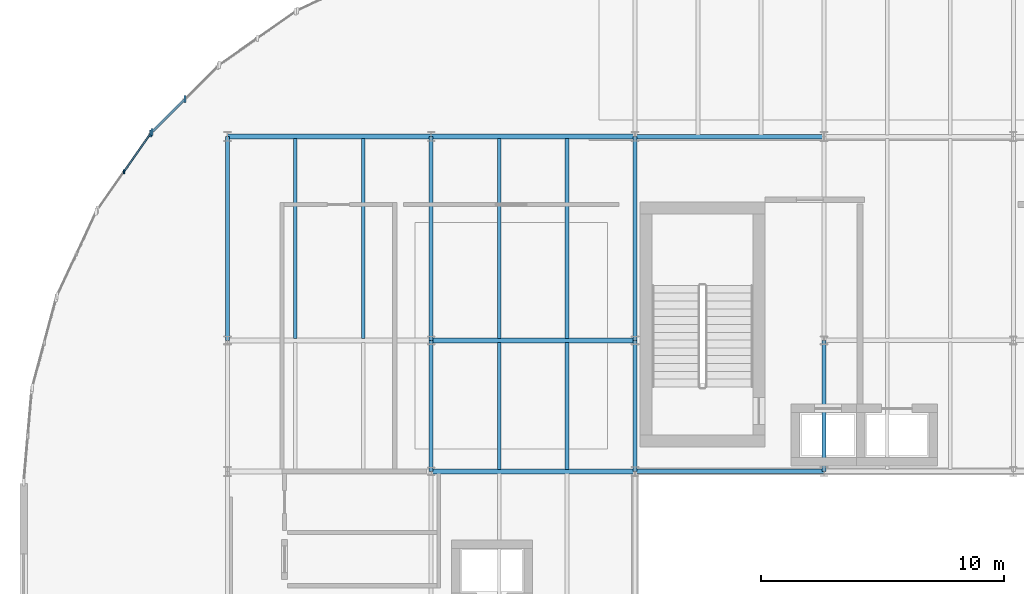
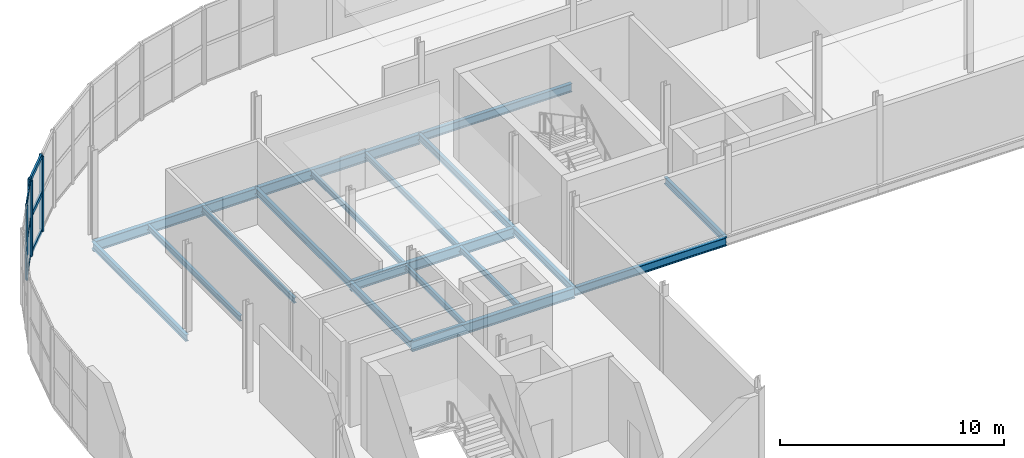
# One storey, part 5 of 15: 18 beams, 10 members, 2 elements without a shape of their own.
"""IFC4 building model written with IfcOpenShell, lengths in metres."""

from ifc_helpers import new_model, si_unit, direction, frame, origin, origin_2d, place, context, subcontext, project, spatial, rectangle, i_section, extrude, material, layer, layer_set, material_profile, profile_set, type_object, element, aggregate, save


model = new_model("IFC4")

# Units and contexts
model_context = context("Model", 3, precision=1e-05, world=origin(), true_north=direction((0.0, 1.0)))
body_context = subcontext(model_context, "Body", "Model", "MODEL_VIEW")
ifc_project = project(units=[si_unit("LENGTHUNIT", "METRE"), si_unit("AREAUNIT", "SQUARE_METRE"), si_unit("VOLUMEUNIT", "CUBIC_METRE"), si_unit("PLANEANGLEUNIT", "RADIAN"), si_unit("MASSUNIT", "GRAM", prefix="KILO")], contexts=[model_context])

# Site, building, storey
site_placement = place(None, origin())
site = spatial("IfcSite", under=ifc_project, at=site_placement, CompositionType="ELEMENT")
building_placement = place(site_placement, origin())
building = spatial("IfcBuilding", under=site, at=building_placement, Name="Sefraquen Railside Congress Hotel", CompositionType="ELEMENT")
storey_placement = place(building_placement, frame((0.0, 0.0, 46.800048828125)))
storey = spatial("IfcBuildingStorey", under=building, at=storey_placement, Name="L11", CompositionType="ELEMENT", Elevation=46.800048828125)

# Beams
ifc_material_1 = material(Name="Steel S355JR", Category="steel")
ifc_material_profile_1 = material_profile(ifc_material_1, i_section(OverallWidth=0.169921875, OverallDepth=0.360107421875, WebThickness=0.008056640625, FlangeThickness=0.0126953125, FilletRadius=0.01806640625, at=origin_2d()), Name="IPE 360")
ifc_profile_set_1 = profile_set([ifc_material_profile_1], Name="Steel S355JR")
beam_type_1 = type_object("IfcBeamType", Name="TB-BM-360", PredefinedType="BEAM", material=ifc_profile_set_1)
beam_1_placement = place(storey_placement, frame((8.39990234375, 101.39990234375, -0.43994140625), z_axis=(0.0, 1.0, 0.0), x_axis=(-1.0, 0.0, 0.0)))
element("IfcBeam", 1, at=beam_1_placement, inside=storey, type_object=beam_type_1, Name="Floor beam BM-L11-2198", PredefinedType="BEAM", context=body_context, shape_type="SweptSolid", body=[
    extrude(i_section(OverallWidth=0.169921875, OverallDepth=0.360107421875, WebThickness=0.008056640625, FlangeThickness=0.0126953125, FilletRadius=0.01806640625, at=origin_2d()), origin(), (0.0, 0.0, 1.0), 8.400146484375),
])
beam_2_placement = place(storey_placement, frame((16.800048828125, 96.0, -0.43994140625), z_axis=(0.0, 1.0, 0.0), x_axis=(-1.0, 0.0, 0.0)))
element("IfcBeam", 2, at=beam_2_placement, inside=storey, type_object=beam_type_1, Name="Floor beam BM-L11-2201", PredefinedType="BEAM", context=body_context, shape_type="SweptSolid", body=[
    extrude(i_section(OverallWidth=0.169921875, OverallDepth=0.360107421875, WebThickness=0.008056640625, FlangeThickness=0.0126953125, FilletRadius=0.01806640625, at=origin_2d()), origin(), (0.0, 0.0, 1.0), 5.39990234375),
])
beam_3_placement = place(storey_placement, frame((16.800048828125, 101.39990234375, -0.43994140625), z_axis=(0.0, 1.0, 0.0), x_axis=(-1.0, 0.0, 0.0)))
element("IfcBeam", 3, at=beam_3_placement, inside=storey, type_object=beam_type_1, Name="Floor beam BM-L11-2202", PredefinedType="BEAM", context=body_context, shape_type="SweptSolid", body=[
    extrude(i_section(OverallWidth=0.169921875, OverallDepth=0.360107421875, WebThickness=0.008056640625, FlangeThickness=0.0126953125, FilletRadius=0.01806640625, at=origin_2d()), origin(), (0.0, 0.0, 1.0), 8.400146484375),
])
beam_4_placement = place(storey_placement, frame((25.199951171875, 96.0, -0.43994140625), z_axis=(0.0, 1.0, 0.0), x_axis=(-1.0, 0.0, 0.0)))
element("IfcBeam", 4, at=beam_4_placement, inside=storey, type_object=beam_type_1, Name="Floor beam BM-L11-2205", PredefinedType="BEAM", context=body_context, shape_type="SweptSolid", body=[
    extrude(i_section(OverallWidth=0.169921875, OverallDepth=0.360107421875, WebThickness=0.008056640625, FlangeThickness=0.0126953125, FilletRadius=0.01806640625, at=origin_2d()), origin(), (0.0, 0.0, 1.0), 5.39990234375),
])
beam_5_placement = place(storey_placement, frame((25.199951171875, 101.39990234375, -0.43994140625), z_axis=(0.0, 1.0, 0.0), x_axis=(-1.0, 0.0, 0.0)))
element("IfcBeam", 5, at=beam_5_placement, inside=storey, type_object=beam_type_1, Name="Floor beam BM-L11-2206", PredefinedType="BEAM", context=body_context, shape_type="SweptSolid", body=[
    extrude(i_section(OverallWidth=0.169921875, OverallDepth=0.360107421875, WebThickness=0.008056640625, FlangeThickness=0.0126953125, FilletRadius=0.01806640625, at=origin_2d()), origin(), (0.0, 0.0, 1.0), 8.400146484375),
])
beam_6_placement = place(storey_placement, frame((33.0, 96.0, -0.43994140625), z_axis=(0.0, 1.0, 0.0), x_axis=(-1.0, 0.0, 0.0)))
element("IfcBeam", 6, at=beam_6_placement, inside=storey, type_object=beam_type_1, Name="Floor beam BM-L11-2208", PredefinedType="BEAM", context=body_context, shape_type="SweptSolid", body=[
    extrude(i_section(OverallWidth=0.169921875, OverallDepth=0.360107421875, WebThickness=0.008056640625, FlangeThickness=0.0126953125, FilletRadius=0.01806640625, at=origin_2d()), origin(), (0.0, 0.0, 1.0), 5.39990234375),
])
ifc_material_profile_2 = material_profile(ifc_material_1, i_section(OverallWidth=0.18994140625, OverallDepth=0.449951171875, WebThickness=0.009521484375, FlangeThickness=0.0146484375, FilletRadius=0.02099609375, at=origin_2d()), Name="IPE 450")
ifc_profile_set_2 = profile_set([ifc_material_profile_2], Name="Steel S355JR")
beam_type_2 = type_object("IfcBeamType", Name="TB-BM-450", PredefinedType="BEAM", material=ifc_profile_set_2)
for number, where, z_axis, x_axis, name in (
    (7, (25.199951171875, 96.0, -0.485107421875), (1.0, 0.0, 0.0), (0.0, 1.0, 0.0), "Primary girder BM-L11-2156"),
    (8, (25.199951171875, 109.800048828125, -0.485107421875), (1.0, 0.0, 0.0), (0.0, 1.0, 0.0), "Primary girder BM-L11-2176"),
):
    element("IfcBeam", number, at=place(storey_placement, frame(where, z_axis=z_axis, x_axis=x_axis)), inside=storey, type_object=beam_type_2, Name=name, PredefinedType="BEAM", context=body_context, shape_type="SweptSolid", body=[
        extrude(i_section(OverallWidth=0.18994140625, OverallDepth=0.449951171875, WebThickness=0.009521484375, FlangeThickness=0.0146484375, FilletRadius=0.02099609375, at=origin_2d()), origin(), (0.0, 0.0, 1.0), 7.800048828125),
    ])
ifc_material_profile_3 = material_profile(ifc_material_1, i_section(OverallWidth=0.2099609375, OverallDepth=0.550048828125, WebThickness=0.010986328125, FlangeThickness=0.01708984375, FilletRadius=0.02392578125, at=origin_2d()), Name="IPE 550")
ifc_profile_set_3 = profile_set([ifc_material_profile_3], Name="Steel S355JR")
beam_type_3 = type_object("IfcBeamType", Name="TB-GIR-550", PredefinedType="T_BEAM", material=ifc_profile_set_3)
for number, where, z_axis, x_axis, name in (
    (9, (16.800048828125, 96.0, -0.53515625), (1.0, 0.0, 0.0), (0.0, 1.0, 0.0), "Primary girder BM-L11-2155"),
    (10, (16.800048828125, 101.39990234375, -0.53515625), (1.0, 0.0, 0.0), (0.0, 1.0, 0.0), "Primary girder BM-L11-2166"),
):
    element("IfcBeam", number, at=place(storey_placement, frame(where, z_axis=z_axis, x_axis=x_axis)), inside=storey, type_object=beam_type_3, Name=name, PredefinedType="T_BEAM", context=body_context, shape_type="SweptSolid", body=[
        extrude(i_section(OverallWidth=0.2099609375, OverallDepth=0.550048828125, WebThickness=0.010986328125, FlangeThickness=0.01708984375, FilletRadius=0.02392578125, at=origin_2d()), origin(), (0.0, 0.0, 1.0), 8.39990234375),
    ])
beam_7_placement = place(storey_placement, frame((8.39990234375, 109.800048828125, -0.53515625), z_axis=(1.0, 0.0, 0.0), x_axis=(0.0, 1.0, 0.0)))
element("IfcBeam", 11, at=beam_7_placement, inside=storey, type_object=beam_type_3, Name="Primary girder BM-L11-2174", PredefinedType="T_BEAM", context=body_context, shape_type="SweptSolid", body=[
    extrude(i_section(OverallWidth=0.2099609375, OverallDepth=0.550048828125, WebThickness=0.010986328125, FlangeThickness=0.01708984375, FilletRadius=0.02392578125, at=origin_2d()), origin(), (0.0, 0.0, 1.0), 8.400146484375),
])
beam_8_placement = place(storey_placement, frame((16.800048828125, 109.800048828125, -0.53515625), z_axis=(1.0, 0.0, 0.0), x_axis=(0.0, 1.0, 0.0)))
element("IfcBeam", 12, at=beam_8_placement, inside=storey, type_object=beam_type_3, Name="Primary girder BM-L11-2175", PredefinedType="T_BEAM", context=body_context, shape_type="SweptSolid", body=[
    extrude(i_section(OverallWidth=0.2099609375, OverallDepth=0.550048828125, WebThickness=0.010986328125, FlangeThickness=0.01708984375, FilletRadius=0.02392578125, at=origin_2d()), origin(), (0.0, 0.0, 1.0), 8.39990234375),
])
ifc_material_profile_4 = material_profile(ifc_material_1, i_section(OverallWidth=0.14990234375, OverallDepth=0.300048828125, WebThickness=0.007080078125, FlangeThickness=0.0107421875, FilletRadius=0.014892578125, at=origin_2d()), Name="IPE 300")
ifc_profile_set_4 = profile_set([ifc_material_profile_4], Name="Steel S355JR")
beam_type_4 = type_object("IfcBeamType", Name="TB-JST-300", PredefinedType="JOIST", material=ifc_profile_set_4)
for number, where, z_axis, x_axis, name in (
    (13, (11.199951171875, 101.485107421875, -0.41015625), (0.0, 1.0, 0.0), (-1.0, 0.0, 0.0), "Composite floor joist BM-L11-J1472"),
    (14, (14.0, 101.485107421875, -0.41015625), (0.0, 1.0, 0.0), (-1.0, 0.0, 0.0), "Composite floor joist BM-L11-J1473"),
):
    element("IfcBeam", number, at=place(storey_placement, frame(where, z_axis=z_axis, x_axis=x_axis)), inside=storey, type_object=beam_type_4, Name=name, PredefinedType="JOIST", context=body_context, shape_type="SweptSolid", body=[
        extrude(i_section(OverallWidth=0.14990234375, OverallDepth=0.300048828125, WebThickness=0.007080078125, FlangeThickness=0.0107421875, FilletRadius=0.014892578125, at=origin_2d()), origin(), (0.0, 0.0, 1.0), 8.22998046875),
    ])
for number, where, z_axis, x_axis, name in (
    (15, (19.60009765625, 96.0849609375, -0.41015625), (0.0, 1.0, 0.0), (-1.0, 0.0, 0.0), "Composite floor joist BM-L11-J1478"),
    (16, (22.39990234375, 96.0849609375, -0.41015625), (0.0, 1.0, 0.0), (-1.0, 0.0, 0.0), "Composite floor joist BM-L11-J1479"),
):
    element("IfcBeam", number, at=place(storey_placement, frame(where, z_axis=z_axis, x_axis=x_axis)), inside=storey, type_object=beam_type_4, Name=name, PredefinedType="JOIST", context=body_context, shape_type="SweptSolid", body=[
        extrude(i_section(OverallWidth=0.14990234375, OverallDepth=0.300048828125, WebThickness=0.007080078125, FlangeThickness=0.0107421875, FilletRadius=0.014892578125, at=origin_2d()), origin(), (0.0, 0.0, 1.0), 5.22998046875),
    ])
for number, where, z_axis, x_axis, name in (
    (17, (19.60009765625, 101.485107421875, -0.41015625), (0.0, 1.0, 0.0), (-1.0, 0.0, 0.0), "Composite floor joist BM-L11-J1480"),
    (18, (22.39990234375, 101.485107421875, -0.41015625), (0.0, 1.0, 0.0), (-1.0, 0.0, 0.0), "Composite floor joist BM-L11-J1481"),
):
    element("IfcBeam", number, at=place(storey_placement, frame(where, z_axis=z_axis, x_axis=x_axis)), inside=storey, type_object=beam_type_4, Name=name, PredefinedType="JOIST", context=body_context, shape_type="SweptSolid", body=[
        extrude(i_section(OverallWidth=0.14990234375, OverallDepth=0.300048828125, WebThickness=0.007080078125, FlangeThickness=0.0107421875, FilletRadius=0.014892578125, at=origin_2d()), origin(), (0.0, 0.0, 1.0), 8.22998046875),
    ])

# Curtain wall, member
ifc_material_2 = material(Name="Thermally broken anodised aluminium and low-E double glazing", Category="aluminium")
ifc_layer_1 = layer(ifc_material_2, 0.199951171875)
ifc_layer_set_1 = layer_set([ifc_layer_1], Name="Thermally broken anodised aluminium and low-E double glazing")
curtain_wall_type_1 = type_object("IfcCurtainWallType", Name="TCW-UCW-09", PredefinedType="USERDEFINED", material=ifc_layer_set_1)
curtain_wall_1_placement = place(storey_placement, origin())
curtain_wall_1 = element("IfcCurtainWall", 19, at=curtain_wall_1_placement, inside=storey, type_object=curtain_wall_type_1, Name="Rotunda L11 curved curtain wall facet 6", ObjectType="UNITISED CURTAIN WALL", PredefinedType="USERDEFINED")
ifc_material_3 = material(Name="Thermally broken anodised aluminium 6063-T6", Category="aluminium")
ifc_material_profile_5 = material_profile(ifc_material_3, rectangle(XDim=0.06005859375, YDim=0.159912109375, at=origin_2d()), Name="CWM 60x160")
ifc_profile_set_5 = profile_set([ifc_material_profile_5], Name="Thermally broken anodised aluminium 6063-T6")
member_type_1 = type_object("IfcMemberType", Name="TM-CWM-01", PredefinedType="MULLION", material=ifc_profile_set_5)
member_1_placement = place(storey_placement, frame((4.13916015625, 108.356201171875, 0.0), z_axis=(0.0, 0.0, 1.0), x_axis=(1.0, 0.0, 0.0)))
member_1 = element("IfcMember", 20, at=member_1_placement, type_object=member_type_1, Name="CW-L11-ROT-06 mullion 2", PredefinedType="MULLION", context=body_context, shape_type="SweptSolid", body=[
    extrude(rectangle(XDim=0.06005859375, YDim=0.159912109375, at=origin_2d()), origin(), (0.0, 0.0, 1.0), 4.08984375),
])

# Curtain wall, members
ifc_layer_2 = layer(ifc_material_2, 0.199951171875)
ifc_layer_set_2 = layer_set([ifc_layer_2], Name="Thermally broken anodised aluminium and low-E double glazing")
curtain_wall_type_2 = type_object("IfcCurtainWallType", Name="TCW-UCW-08", PredefinedType="USERDEFINED", material=ifc_layer_set_2)
curtain_wall_2_placement = place(storey_placement, origin())
curtain_wall_2 = element("IfcCurtainWall", 21, at=curtain_wall_2_placement, inside=storey, type_object=curtain_wall_type_2, Name="Rotunda L11 curved curtain wall facet 5", ObjectType="UNITISED CURTAIN WALL", PredefinedType="USERDEFINED")
ifc_material_profile_6 = material_profile(ifc_material_3, rectangle(XDim=0.090087890625, YDim=0.280029296875, at=origin_2d()), Name="CWM 90x280")
ifc_profile_set_6 = profile_set([ifc_material_profile_6], Name="Thermally broken anodised aluminium 6063-T6")
member_type_2 = type_object("IfcMemberType", Name="TM-CWM-07", PredefinedType="MULLION", material=ifc_profile_set_6)
member_2_placement = place(storey_placement, frame((6.650634765625, 111.349365234375, 0.0), z_axis=(0.0, 0.0, 1.0), x_axis=(1.0, 0.0, 0.0)))
member_2 = element("IfcMember", 22, at=member_2_placement, type_object=member_type_2, Name="CW-L11-ROT-05 mullion 2", PredefinedType="MULLION", context=body_context, shape_type="SweptSolid", body=[
    extrude(rectangle(XDim=0.090087890625, YDim=0.280029296875, at=origin_2d()), origin(), (0.0, 0.0, 1.0), 4.08984375),
])
ifc_material_profile_7 = material_profile(ifc_material_3, rectangle(XDim=0.094970703125, YDim=0.300048828125, at=origin_2d()), Name="CWM 95x300")
ifc_profile_set_7 = profile_set([ifc_material_profile_7], Name="Thermally broken anodised aluminium 6063-T6")
member_type_3 = type_object("IfcMemberType", Name="TM-CWM-08", PredefinedType="MULLION", material=ifc_profile_set_7)
member_3_placement = place(storey_placement, frame((5.292236328125, 109.990966796875, 0.0), z_axis=(0.0, 0.0, 1.0), x_axis=(1.0, 0.0, 0.0)))
member_3 = element("IfcMember", 23, at=member_3_placement, type_object=member_type_3, Name="CW-L11-ROT-05 mullion 3", PredefinedType="MULLION", context=body_context, shape_type="SweptSolid", body=[
    extrude(rectangle(XDim=0.094970703125, YDim=0.300048828125, at=origin_2d()), origin(), (0.0, 0.0, 1.0), 4.08984375),
])

# Member
member_4_placement = place(storey_placement, frame((5.2412109375, 109.929931640625, 0.0), z_axis=(0.0, 0.0, 1.0), x_axis=(1.0, 0.0, 0.0)))
member_4 = element("IfcMember", 24, at=member_4_placement, type_object=member_type_3, Name="CW-L11-ROT-06 mullion 1", PredefinedType="MULLION", context=body_context, shape_type="SweptSolid", body=[
    extrude(rectangle(XDim=0.094970703125, YDim=0.300048828125, at=origin_2d()), origin(), (0.0, 0.0, 1.0), 4.08984375),
])

ifc_material_profile_8 = material_profile(ifc_material_3, rectangle(XDim=0.06005859375, YDim=0.1201171875, at=origin_2d()), Name="CWT 60x120")
ifc_profile_set_8 = profile_set([ifc_material_profile_8], Name="Thermally broken anodised aluminium 6063-T6")
member_type_4 = type_object("IfcMemberType", Name="TM-CWT-01", PredefinedType="USERDEFINED", material=ifc_profile_set_8)
member_5_placement = place(storey_placement, frame((5.21533203125, 109.89306640625, 0.0), z_axis=(-0.573632363976, -0.819112880499, 0.0), x_axis=(0.819112880499, -0.573632363976, 0.0)))
member_5 = element("IfcMember", 25, at=member_5_placement, type_object=member_type_4, Name="CW-L11-ROT-06 transom 1.1", ObjectType="TRANSOM", PredefinedType="USERDEFINED", context=body_context, shape_type="SweptSolid", body=[
    extrude(rectangle(XDim=0.06005859375, YDim=0.1201171875, at=origin_2d()), origin(), (0.0, 0.0, 1.0), 1.8310546875),
])

member_6_placement = place(storey_placement, frame((5.21533203125, 109.89306640625, 2.044921875), z_axis=(-0.573632363976, -0.819112880499, 0.0), x_axis=(0.819112880499, -0.573632363976, 0.0)))
member_6 = element("IfcMember", 26, at=member_6_placement, type_object=member_type_4, Name="CW-L11-ROT-06 transom 2.1", ObjectType="TRANSOM", PredefinedType="USERDEFINED", context=body_context, shape_type="SweptSolid", body=[
    extrude(rectangle(XDim=0.06005859375, YDim=0.1201171875, at=origin_2d()), origin(), (0.0, 0.0, 1.0), 1.8310546875),
])

member_7_placement = place(storey_placement, frame((5.21533203125, 109.89306640625, 4.08984375), z_axis=(-0.573632363976, -0.819112880499, 0.0), x_axis=(0.819112880499, -0.573632363976, 0.0)))
member_7 = element("IfcMember", 27, at=member_7_placement, type_object=member_type_4, Name="CW-L11-ROT-06 transom 3.1", ObjectType="TRANSOM", PredefinedType="USERDEFINED", context=body_context, shape_type="SweptSolid", body=[
    extrude(rectangle(XDim=0.06005859375, YDim=0.1201171875, at=origin_2d()), origin(), (0.0, 0.0, 1.0), 1.8310546875),
])

aggregate(curtain_wall_1, [member_4, member_1, member_5, member_6, member_7])

ifc_material_profile_9 = material_profile(ifc_material_3, rectangle(XDim=0.094970703125, YDim=0.22509765625, at=origin_2d()), Name="CWT 95x225")
ifc_profile_set_9 = profile_set([ifc_material_profile_9], Name="Thermally broken anodised aluminium 6063-T6")
member_type_5 = type_object("IfcMemberType", Name="TM-CWT-08", PredefinedType="USERDEFINED", material=ifc_profile_set_9)
member_8_placement = place(storey_placement, frame((6.618896484375, 111.3173828125, 0.0), z_axis=(-0.707106781187, -0.707106781187, 0.0), x_axis=(0.707106781187, -0.707106781187, 0.0)))
member_8 = element("IfcMember", 28, at=member_8_placement, type_object=member_type_5, Name="CW-L11-ROT-05 transom 1.2", ObjectType="TRANSOM", PredefinedType="USERDEFINED", context=body_context, shape_type="SweptSolid", body=[
    extrude(rectangle(XDim=0.094970703125, YDim=0.22509765625, at=origin_2d()), origin(), (0.0, 0.0, 1.0), 1.8310546875),
])

member_9_placement = place(storey_placement, frame((6.618896484375, 111.3173828125, 2.044921875), z_axis=(-0.707106781187, -0.707106781187, 0.0), x_axis=(0.707106781187, -0.707106781187, 0.0)))
member_9 = element("IfcMember", 29, at=member_9_placement, type_object=member_type_5, Name="CW-L11-ROT-05 transom 2.2", ObjectType="TRANSOM", PredefinedType="USERDEFINED", context=body_context, shape_type="SweptSolid", body=[
    extrude(rectangle(XDim=0.094970703125, YDim=0.22509765625, at=origin_2d()), origin(), (0.0, 0.0, 1.0), 1.8310546875),
])

member_10_placement = place(storey_placement, frame((6.618896484375, 111.3173828125, 4.08984375), z_axis=(-0.707106781187, -0.707106781187, 0.0), x_axis=(0.707106781187, -0.707106781187, 0.0)))
member_10 = element("IfcMember", 30, at=member_10_placement, type_object=member_type_5, Name="CW-L11-ROT-05 transom 3.2", ObjectType="TRANSOM", PredefinedType="USERDEFINED", context=body_context, shape_type="SweptSolid", body=[
    extrude(rectangle(XDim=0.094970703125, YDim=0.22509765625, at=origin_2d()), origin(), (0.0, 0.0, 1.0), 1.8310546875),
])

aggregate(curtain_wall_2, [member_2, member_3, member_8, member_9, member_10])

save(model, "model.ifc")
